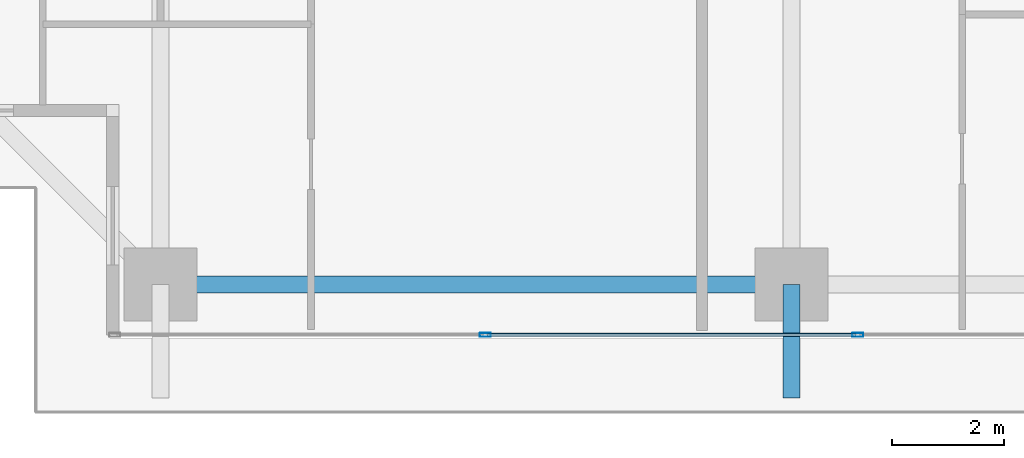
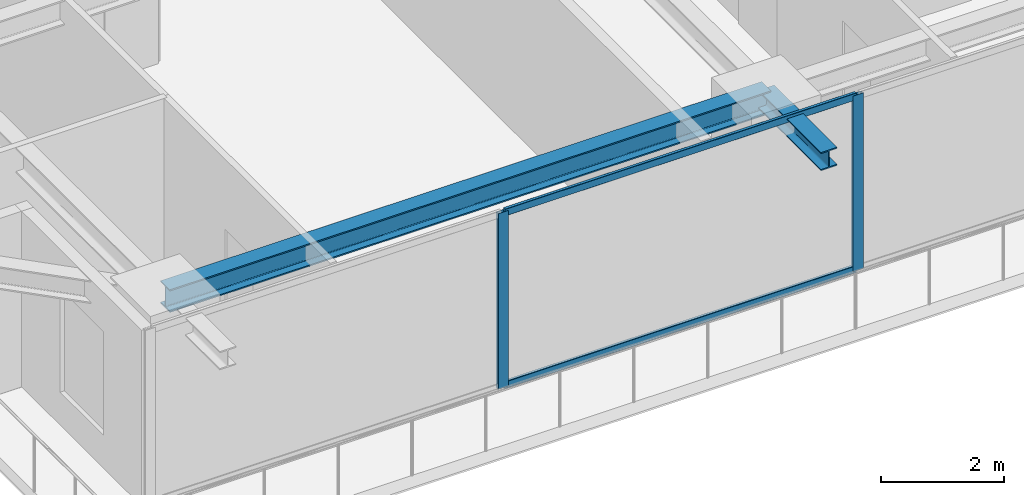
# One storey, part 5 of 38: 4 members, 2 beams, 1 element without a shape of its own.
"""IFC4 building model written with IfcOpenShell, lengths in metres."""

from ifc_helpers import new_model, si_unit, direction, frame, origin, origin_2d, place, context, subcontext, project, spatial, hollow_rectangle, i_section, extrude, source, transform, mapped, material, layer, layer_set, material_profile, profile_set, type_object, element, aggregate, save


model = new_model("IFC4")

# Units and contexts
model_context = context("Model", 3, precision=1e-05, world=origin(), true_north=direction((0.0, 1.0)))
body_context = subcontext(model_context, "Body", "Model", "MODEL_VIEW")
ifc_project = project(units=[si_unit("LENGTHUNIT", "METRE"), si_unit("AREAUNIT", "SQUARE_METRE"), si_unit("VOLUMEUNIT", "CUBIC_METRE"), si_unit("PLANEANGLEUNIT", "RADIAN"), si_unit("MASSUNIT", "GRAM", prefix="KILO")], contexts=[model_context])

# Site, building, storey
site_placement = place(None, origin())
site = spatial("IfcSite", under=ifc_project, at=site_placement, CompositionType="ELEMENT")
building_placement = place(site_placement, origin())
building = spatial("IfcBuilding", under=site, at=building_placement, Name="Serunith Strait Residences", CompositionType="ELEMENT")
storey_placement = place(building_placement, frame((0.0, 0.0, 120.14990234375)))
storey = spatial("IfcBuildingStorey", under=building, at=storey_placement, Name="L29", CompositionType="ELEMENT", Elevation=120.14990234375)

# Beams
ifc_material_1 = material(Name="Steel S355J2", Category="steel")
ifc_material_profile_1 = material_profile(ifc_material_1, i_section(OverallWidth=0.300048828125, OverallDepth=0.449951171875, WebThickness=0.013916015625, FlangeThickness=0.02587890625, FilletRadius=0.027099609375, at=origin_2d()), Name="HEB 450")
ifc_profile_set_1 = profile_set([ifc_material_profile_1], Name="Steel S355J2")
beam_type_1 = type_object("IfcBeamType", Name="BM-HEB450", PredefinedType="BEAM", material=ifc_profile_set_1)
shared_shape_1 = source(origin(), body_context, "Body", "SweptSolid", [
    extrude(i_section(OverallWidth=0.300048828125, OverallDepth=0.449951171875, WebThickness=0.013916015625, FlangeThickness=0.02587890625, FilletRadius=0.027099609375, at=origin_2d()), origin(), (0.0, 0.0, 1.0), 11.25),
])
beam_1_placement = place(storey_placement, frame((16.64990234375, 2.300048828125, 3.26220703125), z_axis=(1.0, 0.0, 0.0), x_axis=(0.0, 1.0, 0.0)))
element("IfcBeam", 1, at=beam_1_placement, inside=storey, type_object=beam_type_1, Name="L29 Perimeter Ring Beam 01", PredefinedType="BEAM", context=body_context, shape_type="MappedRepresentation", body=[
    mapped(shared_shape_1, transform((0.0, 0.0, 0.0), scale=1.0)),
])
ifc_material_profile_2 = material_profile(ifc_material_1, i_section(OverallWidth=0.300048828125, OverallDepth=0.360107421875, WebThickness=0.012451171875, FlangeThickness=0.0224609375, FilletRadius=0.027099609375, at=origin_2d()), Name="HEB 360")
ifc_profile_set_2 = profile_set([ifc_material_profile_2], Name="Steel S355J2")
beam_type_2 = type_object("IfcBeamType", Name="BM-HEB360", PredefinedType="BEAM", material=ifc_profile_set_2)
shared_shape_2 = source(origin(), body_context, "Body", "SweptSolid", [
    extrude(i_section(OverallWidth=0.300048828125, OverallDepth=0.360107421875, WebThickness=0.012451171875, FlangeThickness=0.0224609375, FilletRadius=0.027099609375, at=origin_2d()), origin(), (0.0, 0.0, 1.0), 2.030029296875),
])
beam_2_placement = place(storey_placement, frame((27.89990234375, 2.300048828125, 3.277099609375), z_axis=(0.0, -1.0, 0.0), x_axis=(1.0, 0.0, 0.0)))
element("IfcBeam", 2, at=beam_2_placement, inside=storey, type_object=beam_type_2, Name="L30 Cantilevered Balcony Rib TC-S2", PredefinedType="BEAM", context=body_context, shape_type="MappedRepresentation", body=[
    mapped(shared_shape_2, transform((0.0, 0.0, 0.0), scale=1.0)),
])

# Curtain wall, members
ifc_material_2 = material(Name="Pale-Champagne Anodised Aluminium", Category="aluminium")
ifc_layer = layer(ifc_material_2, 0.199951171875, Name="Pale-Champagne Anodised Aluminium")
ifc_layer_set = layer_set([ifc_layer], Name="Pale-Champagne Anodised Aluminium")
curtain_wall_type = type_object("IfcCurtainWallType", Name="CW-SYS2", PredefinedType="NOTDEFINED", material=ifc_layer_set)
curtain_wall_placement = place(storey_placement, origin())
curtain_wall = element("IfcCurtainWall", 3, at=curtain_wall_placement, inside=storey, type_object=curtain_wall_type, Name="L29 S Unitised Fritted Curtain Wall", PredefinedType="NOTDEFINED")
ifc_material_profile_3 = material_profile(ifc_material_2, hollow_rectangle(XDim=0.070068359375, YDim=0.199951171875, WallThickness=0.00390625, InnerFilletRadius=0.006103515625, OuterFilletRadius=0.010009765625, at=origin_2d()), Name="ALU 200x70x4")
ifc_profile_set_3 = profile_set([ifc_material_profile_3], Name="Pale-Champagne Anodised Aluminium")
member_type_1 = type_object("IfcMemberType", Name="CW-SYS2-MULL", PredefinedType="MULLION", material=ifc_profile_set_3)
shared_shape_3 = source(origin(), body_context, "Body", "SweptSolid", [
    extrude(hollow_rectangle(XDim=0.070068359375, YDim=0.199951171875, WallThickness=0.00390625, InnerFilletRadius=0.006103515625, OuterFilletRadius=0.010009765625, at=origin_2d()), origin(), (0.0, 0.0, 1.0), 3.47509765625),
])
member_1_placement = place(storey_placement, frame((22.43994140625, 1.39990234375, 0.0), z_axis=(0.0, 0.0, 1.0), x_axis=(0.0, 1.0, 0.0)))
member_1 = element("IfcMember", 4, at=member_1_placement, type_object=member_type_1, Name="CW-2 mullion 2", PredefinedType="MULLION", context=body_context, shape_type="MappedRepresentation", body=[
    mapped(shared_shape_3, transform((0.0, 0.0, 0.0), scale=1.0)),
])
member_2_placement = place(storey_placement, frame((29.080078125, 1.39990234375, 0.0), z_axis=(0.0, 0.0, 1.0), x_axis=(0.0, 1.0, 0.0)))
member_2 = element("IfcMember", 5, at=member_2_placement, type_object=member_type_1, Name="CW-2 mullion 3", PredefinedType="MULLION", context=body_context, shape_type="MappedRepresentation", body=[
    mapped(shared_shape_3, transform((0.0, 0.0, 0.0), scale=1.0)),
])
ifc_material_profile_4 = material_profile(ifc_material_2, hollow_rectangle(XDim=0.06005859375, YDim=0.139892578125, WallThickness=0.00341796875, InnerFilletRadius=0.00537109375, OuterFilletRadius=0.0087890625, at=origin_2d()), Name="ALU 140x60x3.5")
ifc_profile_set_4 = profile_set([ifc_material_profile_4], Name="Pale-Champagne Anodised Aluminium")
member_type_2 = type_object("IfcMemberType", Name="CW-SYS2-TRAN", PredefinedType="USERDEFINED", material=ifc_profile_set_4)
shared_shape_4 = source(origin(), body_context, "Body", "SweptSolid", [
    extrude(hollow_rectangle(XDim=0.06005859375, YDim=0.139892578125, WallThickness=0.00341796875, InnerFilletRadius=0.00537109375, OuterFilletRadius=0.0087890625, at=origin_2d()), origin(), (0.0, 0.0, 1.0), 6.56982421875),
])
member_3_placement = place(storey_placement, frame((22.47509765625, 1.39990234375, 0.030029296875), z_axis=(1.0, 0.0, 0.0), x_axis=(0.0, 1.0, 0.0)))
member_3 = element("IfcMember", 6, at=member_3_placement, type_object=member_type_2, Name="CW-2 transom 2.1", ObjectType="TRANSOM", PredefinedType="USERDEFINED", context=body_context, shape_type="MappedRepresentation", body=[
    mapped(shared_shape_4, transform((0.0, 0.0, 0.0), scale=1.0)),
])
member_4_placement = place(storey_placement, frame((22.47509765625, 1.39990234375, 3.445068359375), z_axis=(1.0, 0.0, 0.0), x_axis=(0.0, 1.0, 0.0)))
member_4 = element("IfcMember", 7, at=member_4_placement, type_object=member_type_2, Name="CW-2 transom 2.2", ObjectType="TRANSOM", PredefinedType="USERDEFINED", context=body_context, shape_type="MappedRepresentation", body=[
    mapped(shared_shape_4, transform((0.0, 0.0, 0.0), scale=1.0)),
])
aggregate(curtain_wall, [member_1, member_2, member_3, member_4])

save(model, "model.ifc")
